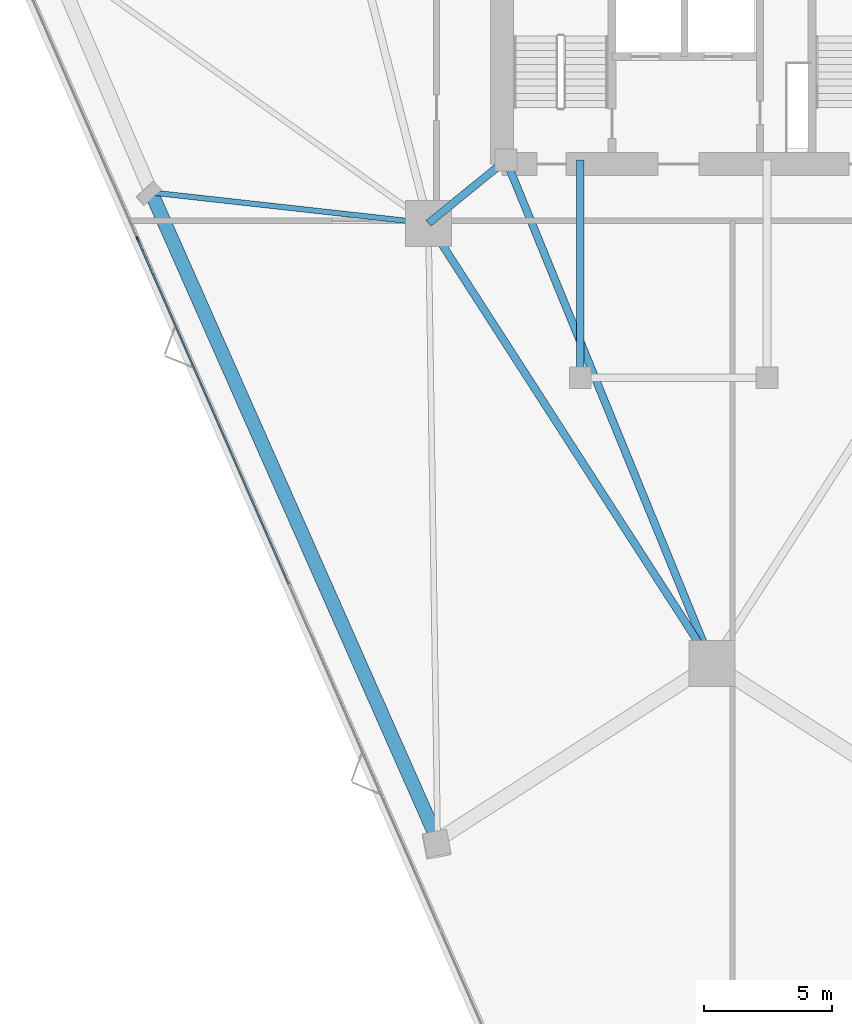
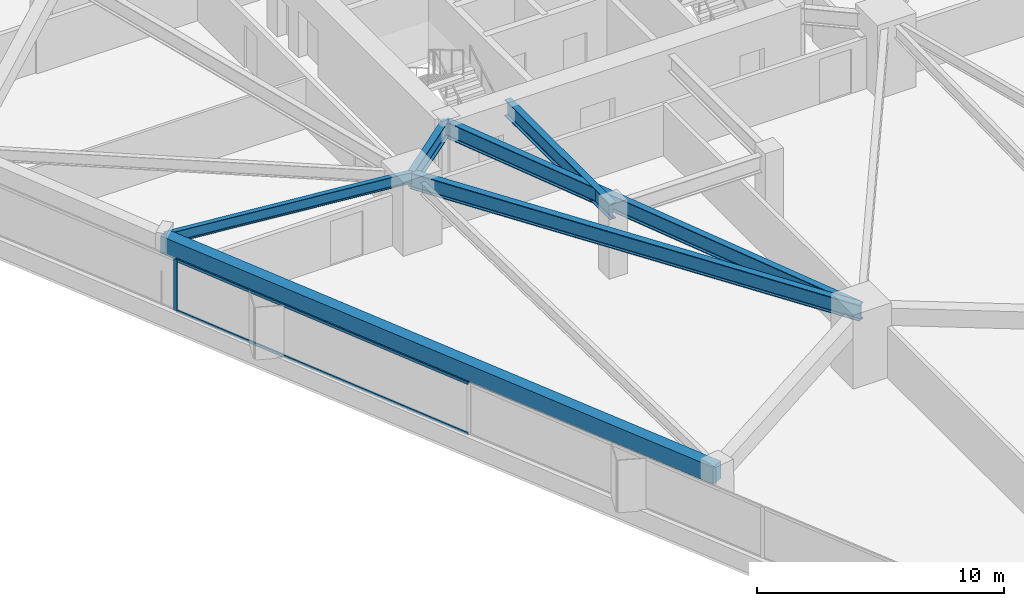
# One storey, part 6 of 20: 6 beams, 3 members, 1 element without a shape of its own.
"""IFC4 building model written with IfcOpenShell, lengths in metres."""

from ifc_helpers import new_model, si_unit, direction, frame, origin, origin_2d, place, context, subcontext, project, spatial, rectangle, i_section, extrude, material, layer, layer_set, material_profile, profile_set, type_object, element, aggregate, save


model = new_model("IFC4")

# Units and contexts
model_context = context("Model", 3, precision=1e-05, world=origin(), true_north=direction((0.0, 1.0)))
body_context = subcontext(model_context, "Body", "Model", "MODEL_VIEW")
ifc_project = project(units=[si_unit("LENGTHUNIT", "METRE"), si_unit("AREAUNIT", "SQUARE_METRE"), si_unit("VOLUMEUNIT", "CUBIC_METRE"), si_unit("PLANEANGLEUNIT", "RADIAN"), si_unit("MASSUNIT", "GRAM", prefix="KILO")], contexts=[model_context])

# Site, building, storey
site_placement = place(None, origin())
site = spatial("IfcSite", under=ifc_project, at=site_placement, CompositionType="ELEMENT")
building_placement = place(site_placement, origin())
building = spatial("IfcBuilding", under=site, at=building_placement, Name="Talyreon Biosciences Tower", CompositionType="ELEMENT")
storey_placement = place(building_placement, frame((0.0, 0.0, 30.10009765625)))
storey = spatial("IfcBuildingStorey", under=building, at=storey_placement, Name="L07", CompositionType="ELEMENT", Elevation=30.10009765625)

# Curtain wall, members
ifc_material_1 = material(Name="Thermally broken aluminium and low-E glazing", Category="aluminium")
ifc_layer = layer(ifc_material_1, 0.195068359375)
ifc_layer_set = layer_set([ifc_layer], Name="Thermally broken aluminium and low-E glazing")
curtain_wall_type = type_object("IfcCurtainWallType", Name="CurtainWall_Zone1WetLab", PredefinedType="NOTDEFINED", material=ifc_layer_set)
curtain_wall_placement = place(storey_placement, origin())
curtain_wall = element("IfcCurtainWall", 1, at=curtain_wall_placement, inside=storey, type_object=curtain_wall_type, Name="L07 Unitised Curtain Wall FCW-L07-00", PredefinedType="NOTDEFINED")
ifc_material_2 = material(Name="Anodised thermally broken aluminium", Category="aluminium")
ifc_material_profile_1 = material_profile(ifc_material_2, rectangle(XDim=0.06494140625, YDim=0.179931640625, at=origin_2d()), Name="ALUM MULLION 65x180")
ifc_profile_set_1 = profile_set([ifc_material_profile_1], Name="Anodised thermally broken aluminium")
member_type_1 = type_object("IfcMemberType", Name="CWMullion_65x180", PredefinedType="MULLION", material=ifc_profile_set_1)
member_1_placement = place(storey_placement, frame((43.54345703125, 58.268310546875, 0.809814453125), z_axis=(0.0, 0.0, 1.0), x_axis=(-0.915926900592, -0.401345129249, 0.0)))
member_1 = element("IfcMember", 2, at=member_1_placement, type_object=member_type_1, Name="CW2 mullion 4", PredefinedType="MULLION", context=body_context, shape_type="SweptSolid", body=[
    extrude(rectangle(XDim=0.06494140625, YDim=0.179931640625, at=origin_2d()), origin(), (0.0, 0.0, 1.0), 2.565185546875),
])
ifc_material_profile_2 = material_profile(ifc_material_2, rectangle(XDim=0.06494140625, YDim=0.139892578125, at=origin_2d()), Name="ALUM TRANSOM 65x140")
ifc_profile_set_2 = profile_set([ifc_material_profile_2], Name="Anodised thermally broken aluminium")
member_type_2 = type_object("IfcMemberType", Name="CWTransom_65x140", PredefinedType="USERDEFINED", material=ifc_profile_set_2)
member_2_placement = place(storey_placement, frame((49.452880859375, 44.782470703125, 0.84228515625), z_axis=(-0.401345318485, 0.915926817672, 0.0), x_axis=(-0.915926817672, -0.401345318485, 0.0)))
member_2 = element("IfcMember", 3, at=member_2_placement, type_object=member_type_2, Name="CW2 transom 3.1", ObjectType="TRANSOM", PredefinedType="USERDEFINED", context=body_context, shape_type="SweptSolid", body=[
    extrude(rectangle(XDim=0.06494140625, YDim=0.139892578125, at=origin_2d()), origin(), (0.0, 0.0, 1.0), 14.691162109375),
])
member_3_placement = place(storey_placement, frame((49.452880859375, 44.782470703125, 3.34228515625), z_axis=(-0.401345318485, 0.915926817672, 0.0), x_axis=(-0.915926817672, -0.401345318485, 0.0)))
member_3 = element("IfcMember", 4, at=member_3_placement, type_object=member_type_2, Name="CW2 transom 3.2", ObjectType="TRANSOM", PredefinedType="USERDEFINED", context=body_context, shape_type="SweptSolid", body=[
    extrude(rectangle(XDim=0.06494140625, YDim=0.139892578125, at=origin_2d()), origin(), (0.0, 0.0, 1.0), 14.691162109375),
])
aggregate(curtain_wall, [member_1, member_2, member_3])

# Beams
ifc_material_3 = material(Name="Precast concrete C45/55", Category="concrete")
ifc_material_profile_3 = material_profile(ifc_material_3, rectangle(XDim=0.550048828125, YDim=0.85009765625, at=origin_2d()), Name="RCB 550x850")
ifc_profile_set_3 = profile_set([ifc_material_profile_3], Name="Precast concrete C45/55")
beam_type_1 = type_object("IfcBeamType", Name="ExpressedSpandrel_550x850", PredefinedType="SPANDREL", material=ifc_profile_set_3)
beam_1_placement = place(storey_placement, frame((44.0732421875, 60.085693359375, 2.949951171875), z_axis=(0.404575938304, -0.914504406849, 0.0), x_axis=(0.914504406849, 0.404575938304, 0.0)))
element("IfcBeam", 5, at=beam_1_placement, inside=storey, type_object=beam_type_1, Name="L07 Expressed Horizontal Concrete Spandrel 11", PredefinedType="SPANDREL", context=body_context, shape_type="SweptSolid", body=[
    extrude(rectangle(XDim=0.550048828125, YDim=0.85009765625, at=origin_2d()), origin(), (0.0, 0.0, 1.0), 27.685546875),
])
ifc_material_4 = material(Name="Steel SM355", Category="steel")
ifc_material_profile_4 = material_profile(ifc_material_4, i_section(OverallWidth=0.300048828125, OverallDepth=0.800048828125, WebThickness=0.017578125, FlangeThickness=0.032958984375, FilletRadius=0.030029296875, at=origin_2d()), Name="HE800B")
ifc_profile_set_4 = profile_set([ifc_material_profile_4], Name="Steel SM355")
beam_type_2 = type_object("IfcBeamType", Name="SteelGirder_HE800B", PredefinedType="BEAM", material=ifc_profile_set_4)
beam_2_placement = place(storey_placement, frame((54.913818359375, 58.88037109375, 2.974853515625), z_axis=(0.541463723609, -0.840724114092, 0.0), x_axis=(0.840724114092, 0.541463723609, 0.0)))
element("IfcBeam", 6, at=beam_2_placement, inside=storey, type_object=beam_type_2, Name="L07 Mega-Ring Girder 6", PredefinedType="BEAM", context=body_context, shape_type="SweptSolid", body=[
    extrude(i_section(OverallWidth=0.300048828125, OverallDepth=0.800048828125, WebThickness=0.017578125, FlangeThickness=0.032958984375, FilletRadius=0.030029296875, at=origin_2d()), origin(), (0.0, 0.0, 1.0), 20.474365234375),
])
beam_3_placement = place(storey_placement, frame((57.949951171875, 61.35009765625, 2.974853515625), z_axis=(0.378547014545, -0.925582064314, 0.0), x_axis=(0.925582064314, 0.378547014545, 0.0)))
element("IfcBeam", 7, at=beam_3_placement, inside=storey, type_object=beam_type_2, Name="L07 Radial Primary Girder 1", PredefinedType="BEAM", context=body_context, shape_type="SweptSolid", body=[
    extrude(i_section(OverallWidth=0.300048828125, OverallDepth=0.800048828125, WebThickness=0.017578125, FlangeThickness=0.032958984375, FilletRadius=0.030029296875, at=origin_2d()), origin(), (0.0, 0.0, 1.0), 21.265625),
])
beam_4_placement = place(storey_placement, frame((57.949951171875, 61.35009765625, 2.974853515625), z_axis=(-0.775755154013, -0.631034025249, 0.0), x_axis=(0.631034025249, -0.775755154013, 0.0)))
element("IfcBeam", 8, at=beam_4_placement, inside=storey, type_object=beam_type_2, Name="L07 Radial Primary Girder 6", PredefinedType="BEAM", context=body_context, shape_type="SweptSolid", body=[
    extrude(i_section(OverallWidth=0.300048828125, OverallDepth=0.800048828125, WebThickness=0.017578125, FlangeThickness=0.032958984375, FilletRadius=0.030029296875, at=origin_2d()), origin(), (0.0, 0.0, 1.0), 3.913818359375),
])
beam_5_placement = place(storey_placement, frame((60.85009765625, 52.840087890625, 2.974853515625), z_axis=(0.0, 1.0, 0.0), x_axis=(-1.0, 0.0, 0.0)))
element("IfcBeam", 9, at=beam_5_placement, inside=storey, type_object=beam_type_2, Name="L07 Crown Shaft Tie Girder W", PredefinedType="BEAM", context=body_context, shape_type="SweptSolid", body=[
    extrude(i_section(OverallWidth=0.300048828125, OverallDepth=0.800048828125, WebThickness=0.017578125, FlangeThickness=0.032958984375, FilletRadius=0.030029296875, at=origin_2d()), origin(), (0.0, 0.0, 1.0), 8.510009765625),
])
ifc_material_profile_5 = material_profile(ifc_material_4, i_section(OverallWidth=0.2099609375, OverallDepth=0.550048828125, WebThickness=0.010986328125, FlangeThickness=0.01708984375, FilletRadius=0.02392578125, at=origin_2d()), Name="IPE550")
ifc_profile_set_5 = profile_set([ifc_material_profile_5], Name="Steel SM355")
beam_type_3 = type_object("IfcBeamType", Name="SteelJoist_IPE550", PredefinedType="JOIST", material=ifc_profile_set_5)
beam_6_placement = place(storey_placement, frame((54.913818359375, 58.88037109375, 3.099853515625), z_axis=(-0.993875543012, 0.11050522613, 0.0), x_axis=(-0.11050522613, -0.993875543012, 0.0)))
element("IfcBeam", 10, at=beam_6_placement, inside=storey, type_object=beam_type_3, Name="L07 Radial Composite Floor Joist PL-SW", PredefinedType="JOIST", context=body_context, shape_type="SweptSolid", body=[
    extrude(i_section(OverallWidth=0.2099609375, OverallDepth=0.550048828125, WebThickness=0.010986328125, FlangeThickness=0.01708984375, FilletRadius=0.02392578125, at=origin_2d()), origin(), (0.0, 0.0, 1.0), 10.907470703125),
])

save(model, "model.ifc")
